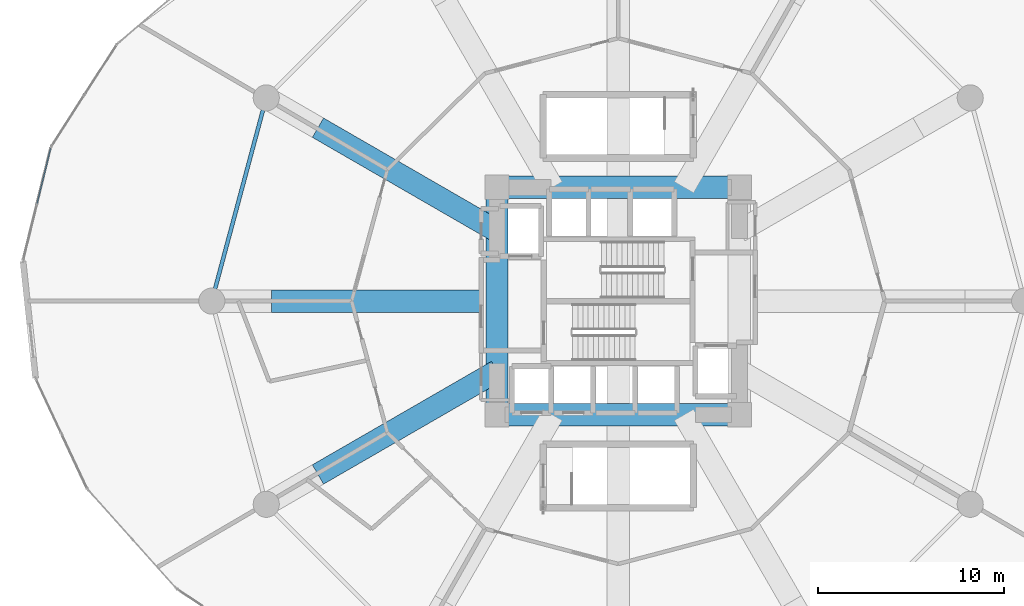
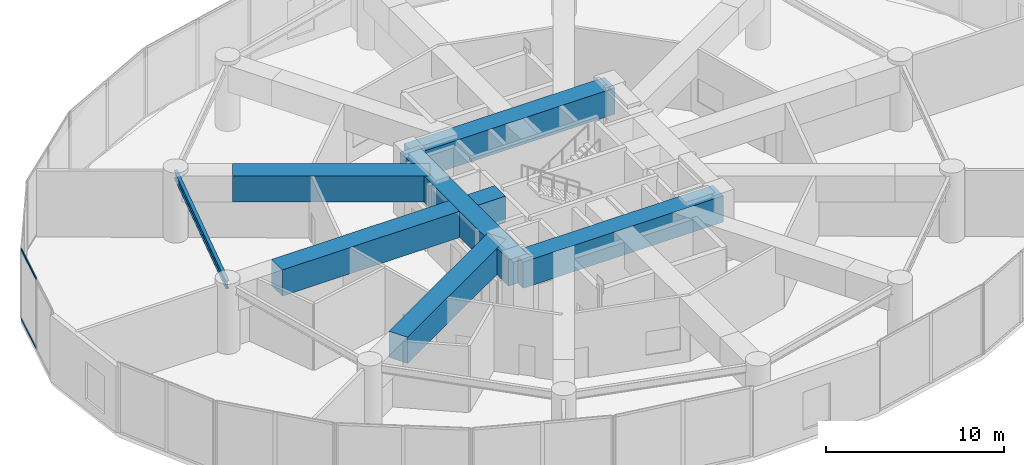
# One storey, part 8 of 27: 7 beams, 2 members, 1 element without a shape of its own.
"""IFC4 building model written with IfcOpenShell, lengths in metres."""

from ifc_helpers import new_model, si_unit, direction, frame, origin, origin_2d, place, context, subcontext, project, spatial, rectangle, hollow_rectangle, i_section, extrude, source, transform, mapped, material, layer, layer_set, material_profile, profile_set, type_object, element, aggregate, save


model = new_model("IFC4")

# Units and contexts
model_context = context("Model", 3, precision=1e-05, world=origin(), true_north=direction((0.0, 1.0)))
body_context = subcontext(model_context, "Body", "Model", "MODEL_VIEW")
ifc_project = project(units=[si_unit("LENGTHUNIT", "METRE"), si_unit("AREAUNIT", "SQUARE_METRE"), si_unit("VOLUMEUNIT", "CUBIC_METRE"), si_unit("PLANEANGLEUNIT", "RADIAN"), si_unit("MASSUNIT", "GRAM", prefix="KILO")], contexts=[model_context])

# Site, building, storey
site_placement = place(None, origin())
site = spatial("IfcSite", under=ifc_project, at=site_placement, CompositionType="ELEMENT")
building_placement = place(site_placement, origin())
building = spatial("IfcBuilding", under=site, at=building_placement, Name="Solvirekh Grand Hotel", CompositionType="ELEMENT")
storey_placement = place(building_placement, frame((0.0, 0.0, 23.60009765625)))
storey = spatial("IfcBuildingStorey", under=building, at=storey_placement, Name="L04", CompositionType="ELEMENT", Elevation=23.60009765625)

# Beams
ifc_material_1 = material(Name="Steel S355", Category="steel")
ifc_material_profile_1 = material_profile(ifc_material_1, i_section(OverallWidth=0.208984375, OverallDepth=0.532958984375, WebThickness=0.010009765625, FlangeThickness=0.014892578125, FilletRadius=0.013916015625, at=origin_2d()), Name="W530X92")
ifc_profile_set_1 = profile_set([ifc_material_profile_1], Name="Steel S355")
beam_type_1 = type_object("IfcBeamType", Name="Spandrel_Ring_W530", PredefinedType="SPANDREL", material=ifc_profile_set_1)
beam_1_placement = place(storey_placement, frame((-18.87890625, 10.89990234375, 4.27294921875), z_axis=(-0.258862249378, -0.965914248703, 0.0), x_axis=(0.965914248703, -0.258862249378, 0.0)))
element("IfcBeam", 1, at=beam_1_placement, inside=storey, type_object=beam_type_1, Name="L04 perimeter spandrel beam 6", PredefinedType="SPANDREL", context=body_context, shape_type="SweptSolid", body=[
    extrude(i_section(OverallWidth=0.208984375, OverallDepth=0.532958984375, WebThickness=0.010009765625, FlangeThickness=0.014892578125, FilletRadius=0.013916015625, at=origin_2d()), origin(), (0.0, 0.0, 1.0), 11.284423828125),
])
ifc_material_2 = material(Name="Concrete C60/75", Category="concrete")
ifc_material_profile_2 = material_profile(ifc_material_2, rectangle(XDim=1.199951171875, YDim=1.800048828125, at=origin_2d()), Name="RC GIRDER 1200X1800")
ifc_profile_set_2 = profile_set([ifc_material_profile_2], Name="Concrete C60/75")
beam_type_2 = type_object("IfcBeamType", Name="TransferGirder_RC1800", PredefinedType="USERDEFINED", material=ifc_profile_set_2)
for number, where, z_axis, x_axis, name in (
    (2, (-6.5, -6.10009765625, 3.639892578125), (1.0, 0.0, 0.0), (0.0, 1.0, 0.0), "L04 core coupling ring beam 1"),
    (3, (6.5, 6.10009765625, 3.639892578125), (-1.0, 0.0, 0.0), (0.0, -1.0, 0.0), "L04 core coupling ring beam 3"),
):
    element("IfcBeam", number, at=place(storey_placement, frame(where, z_axis=z_axis, x_axis=x_axis)), inside=storey, type_object=beam_type_2, Name=name, ObjectType="TRANSFER GIRDER", PredefinedType="USERDEFINED", context=body_context, shape_type="SweptSolid", body=[
        extrude(rectangle(XDim=1.199951171875, YDim=1.800048828125, at=origin_2d()), origin(), (0.0, 0.0, 1.0), 13.0),
    ])
beam_2_placement = place(storey_placement, frame((-6.5, 6.10009765625, 3.639892578125), z_axis=(0.0, -1.0, 0.0), x_axis=(1.0, 0.0, 0.0)))
element("IfcBeam", 4, at=beam_2_placement, inside=storey, type_object=beam_type_2, Name="L04 core coupling ring beam 4", ObjectType="TRANSFER GIRDER", PredefinedType="USERDEFINED", context=body_context, shape_type="SweptSolid", body=[
    extrude(rectangle(XDim=1.199951171875, YDim=1.800048828125, at=origin_2d()), origin(), (0.0, 0.0, 1.0), 12.2001953125),
])
beam_3_placement = place(storey_placement, frame((-6.5, 3.751953125, 3.639892578125), z_axis=(-0.865987692315, 0.500065312493, 0.0), x_axis=(-0.500065312493, -0.865987692315, 0.0)))
element("IfcBeam", 5, at=beam_3_placement, inside=storey, type_object=beam_type_2, Name="L04 inner radial transfer girder 6A", ObjectType="TRANSFER GIRDER", PredefinedType="USERDEFINED", context=body_context, shape_type="SweptSolid", body=[
    extrude(rectangle(XDim=1.199951171875, YDim=1.800048828125, at=origin_2d()), origin(), (0.0, 0.0, 1.0), 11.0947265625),
])
beam_4_placement = place(storey_placement, frame((-4.1298828125, 0.0, 3.639892578125), z_axis=(-1.0, 0.0, 0.0), x_axis=(0.0, -1.0, 0.0)))
element("IfcBeam", 6, at=beam_4_placement, inside=storey, type_object=beam_type_2, Name="L04 inner radial transfer girder 7A", ObjectType="TRANSFER GIRDER", PredefinedType="USERDEFINED", context=body_context, shape_type="SweptSolid", body=[
    extrude(rectangle(XDim=1.199951171875, YDim=1.800048828125, at=origin_2d()), origin(), (0.0, 0.0, 1.0), 14.47021484375),
])
beam_5_placement = place(storey_placement, frame((-6.5, -3.751953125, 3.639892578125), z_axis=(-0.865987692315, -0.500065312493, 0.0), x_axis=(0.500065312493, -0.865987692315, 0.0)))
element("IfcBeam", 7, at=beam_5_placement, inside=storey, type_object=beam_type_2, Name="L04 inner radial transfer girder 8A", ObjectType="TRANSFER GIRDER", PredefinedType="USERDEFINED", context=body_context, shape_type="SweptSolid", body=[
    extrude(rectangle(XDim=1.199951171875, YDim=1.800048828125, at=origin_2d()), origin(), (0.0, 0.0, 1.0), 11.0947265625),
])

# Curtain wall, members
ifc_material_3 = material(Name="Anodized Bronze Aluminium 6063-T6", Category="aluminium")
ifc_layer = layer(ifc_material_3, 0.219970703125)
ifc_layer_set = layer_set([ifc_layer], Name="Anodized Bronze Aluminium 6063-T6")
curtain_wall_type = type_object("IfcCurtainWallType", Name="CW_Sys1_PodiumBronzeUnitised", PredefinedType="NOTDEFINED", material=ifc_layer_set)
curtain_wall_placement = place(storey_placement, origin())
curtain_wall = element("IfcCurtainWall", 8, at=curtain_wall_placement, inside=storey, type_object=curtain_wall_type, Name="L04 unitised bronze-glass curtain wall CW-L04-C12", PredefinedType="NOTDEFINED")
ifc_material_profile_3 = material_profile(ifc_material_3, hollow_rectangle(XDim=0.06494140625, YDim=0.14990234375, WallThickness=0.0048828125, at=origin_2d()), Name="ALU RHS 150X65X5")
ifc_profile_set_3 = profile_set([ifc_material_profile_3], Name="Anodized Bronze Aluminium 6063-T6")
member_type = type_object("IfcMemberType", Name="CWTransom_Sys1", PredefinedType="USERDEFINED", material=ifc_profile_set_3)
shared_shape = source(origin(), body_context, "Body", "SweptSolid", [
    extrude(hollow_rectangle(XDim=0.06494140625, YDim=0.14990234375, WallThickness=0.0048828125, at=origin_2d()), origin(), (0.0, 0.0, 1.0), 3.040771484375),
])
member_1_placement = place(storey_placement, frame((-30.44189453125, 8.195068359375, 0.032470703125), z_axis=(-0.23845300053, -0.971154038522, 0.0), x_axis=(0.971154038522, -0.23845300053, 0.0)))
member_1 = element("IfcMember", 9, at=member_1_placement, type_object=member_type, Name="U01 transom 1.1", ObjectType="TRANSOM", PredefinedType="USERDEFINED", context=body_context, shape_type="MappedRepresentation", body=[
    mapped(shared_shape, transform((0.0, 0.0, 0.0), x_axis=(1.0, 0.0, 0.0), y_axis=(0.0, 1.0, 0.0), z_axis=(0.0, 0.0, 1.0), scale=1.0)),
])
member_2_placement = place(storey_placement, frame((-30.44189453125, 8.195068359375, 4.767333984375), z_axis=(-0.23845300053, -0.971154038522, 0.0), x_axis=(0.971154038522, -0.23845300053, 0.0)))
member_2 = element("IfcMember", 10, at=member_2_placement, type_object=member_type, Name="U01 transom 1.2", ObjectType="TRANSOM", PredefinedType="USERDEFINED", context=body_context, shape_type="MappedRepresentation", body=[
    mapped(shared_shape, transform((0.0, 0.0, 0.0), x_axis=(1.0, 0.0, 0.0), y_axis=(0.0, 1.0, 0.0), z_axis=(0.0, 0.0, 1.0), scale=1.0)),
])
aggregate(curtain_wall, [member_1, member_2])

save(model, "model.ifc")
